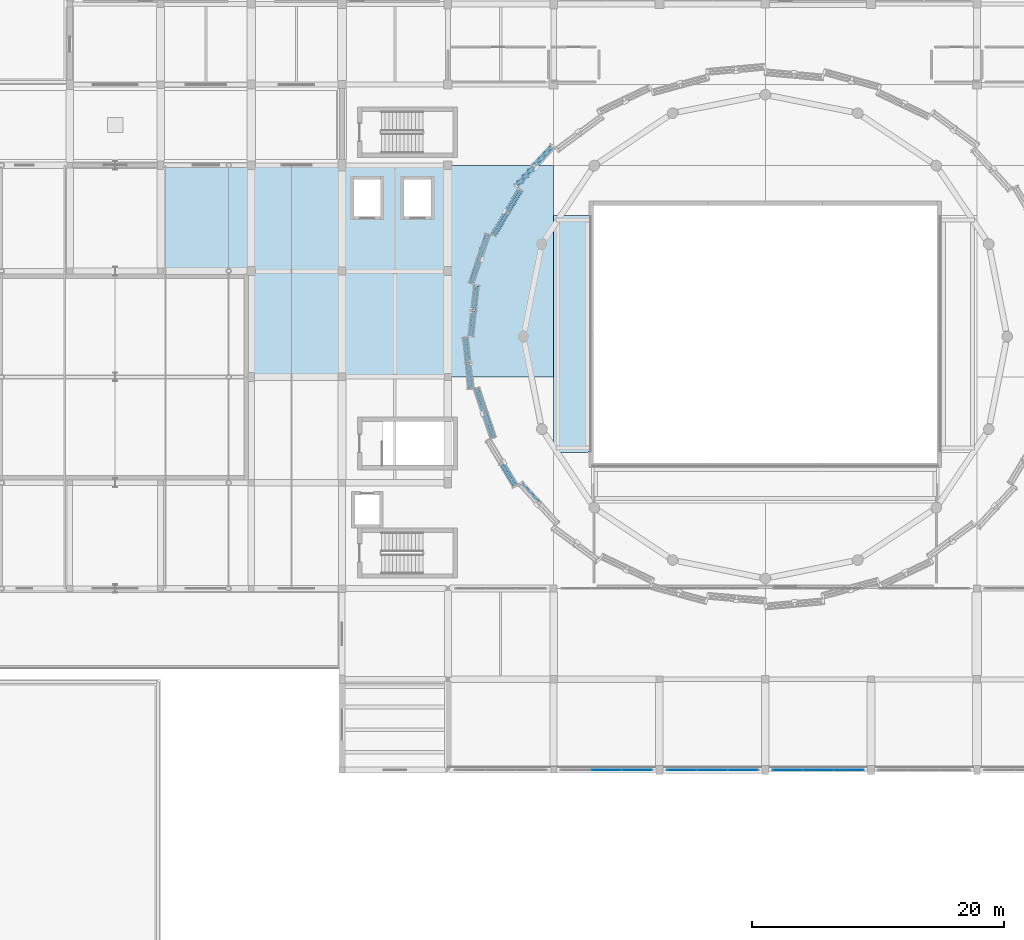
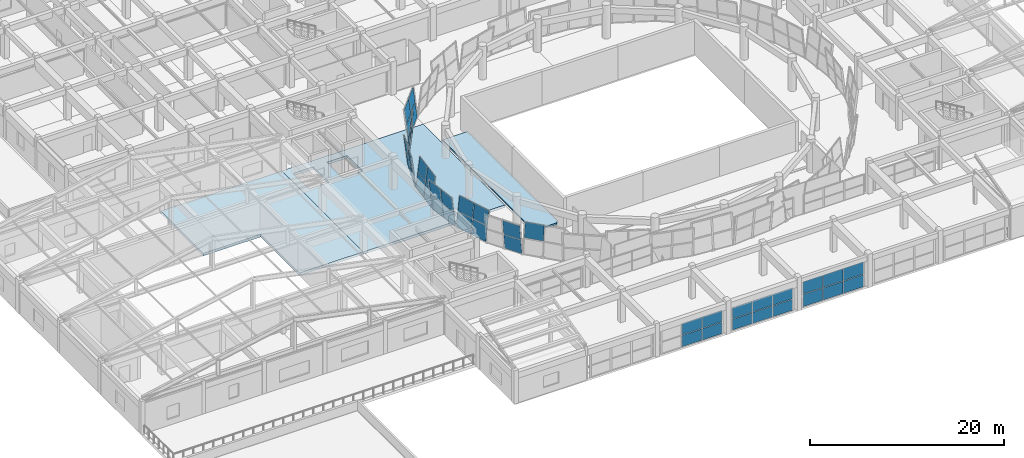
# One storey, part 48 of 74: 43 plates, 3 slabs, 11 elements without a shape of their own.
"""IFC4 building model written with IfcOpenShell, lengths in metres."""

from ifc_helpers import new_model, si_unit, direction, frame, origin, origin_2d, place, context, subcontext, project, spatial, polyline, rectangle, outline, extrude, material, layer, layer_set, type_object, element, aggregate, save


model = new_model("IFC4")

# Units and contexts
model_context = context("Model", 3, precision=1e-05, world=origin(), true_north=direction((0.0, 1.0)))
body_context = subcontext(model_context, "Body", "Model", "MODEL_VIEW")
ifc_project = project(units=[si_unit("LENGTHUNIT", "METRE"), si_unit("AREAUNIT", "SQUARE_METRE"), si_unit("VOLUMEUNIT", "CUBIC_METRE"), si_unit("PLANEANGLEUNIT", "RADIAN"), si_unit("MASSUNIT", "GRAM", prefix="KILO")], contexts=[model_context])

# Site, building, storey
site_placement = place(None, origin())
site = spatial("IfcSite", under=ifc_project, at=site_placement, CompositionType="ELEMENT")
building_placement = place(site_placement, origin())
building = spatial("IfcBuilding", under=site, at=building_placement, Name="Korsvaeld Concert Hall", CompositionType="ELEMENT")
storey_placement = place(building_placement, frame((0.0, 0.0, 9.0)))
storey = spatial("IfcBuildingStorey", under=building, at=storey_placement, Name="L02", CompositionType="ELEMENT", Elevation=9.0)

# Curtain wall, plates
ifc_material_1 = material(Name="Anodised bronze and ceramic-fritted safety glass", Category="glass")
curtain_wall_type_1 = type_object("IfcCurtainWallType", Name="CW-TYPE-15", PredefinedType="USERDEFINED", material=ifc_material_1)
curtain_wall_1_placement = place(storey_placement, origin())
curtain_wall_1 = element("IfcCurtainWall", 1, at=curtain_wall_1_placement, inside=storey, type_object=curtain_wall_type_1, Name="Wintergarden foyer curtain wall L02-15", ObjectType="CURTAIN WALL", PredefinedType="USERDEFINED")
ifc_material_2 = material(Name="Clear acoustic triple safety glazing", Category="glass")
ifc_layer_1 = layer(ifc_material_2, 0.0439453125)
ifc_layer_set_1 = layer_set([ifc_layer_1], Name="Clear acoustic triple safety glazing")
plate_type_1 = type_object("IfcPlateType", Name="CWP-CLEAR-44", PredefinedType="CURTAIN_PANEL", material=ifc_layer_set_1)
plate_1_placement = place(storey_placement, frame((90.618408203125, 28.800048828125, 0.06005859375), z_axis=(0.0, 0.0, 1.0), x_axis=(-1.0, 0.0, 0.0)))
plate_1 = element("IfcPlate", 2, at=plate_1_placement, type_object=plate_type_1, Name="CW-15 panel 1.1", PredefinedType="CURTAIN_PANEL", context=body_context, shape_type="SweptSolid", body=[
    extrude(rectangle(XDim=2.34326171875, YDim=0.0439453125, at=origin_2d()), origin(), (0.0, 0.0, 1.0), 1.530029296875),
])
plate_2_placement = place(storey_placement, frame((90.618408203125, 28.800048828125, 1.64990234375), z_axis=(0.0, 0.0, 1.0), x_axis=(-1.0, 0.0, 0.0)))
plate_2 = element("IfcPlate", 3, at=plate_2_placement, type_object=plate_type_1, Name="CW-15 panel 1.2", PredefinedType="CURTAIN_PANEL", context=body_context, shape_type="SweptSolid", body=[
    extrude(rectangle(XDim=2.34326171875, YDim=0.0439453125, at=origin_2d()), origin(), (0.0, 0.0, 1.0), 1.530029296875),
])
plate_3_placement = place(storey_placement, frame((88.199951171875, 28.800048828125, 0.06005859375), z_axis=(0.0, 0.0, 1.0), x_axis=(-1.0, 0.0, 0.0)))
plate_3 = element("IfcPlate", 4, at=plate_3_placement, type_object=plate_type_1, Name="CW-15 panel 2.1", PredefinedType="CURTAIN_PANEL", context=body_context, shape_type="SweptSolid", body=[
    extrude(rectangle(XDim=2.373291015625, YDim=0.0439453125, at=origin_2d()), origin(), (0.0, 0.0, 1.0), 1.530029296875),
])
plate_4_placement = place(storey_placement, frame((88.199951171875, 28.800048828125, 1.64990234375), z_axis=(0.0, 0.0, 1.0), x_axis=(-1.0, 0.0, 0.0)))
plate_4 = element("IfcPlate", 5, at=plate_4_placement, type_object=plate_type_1, Name="CW-15 panel 2.2", PredefinedType="CURTAIN_PANEL", context=body_context, shape_type="SweptSolid", body=[
    extrude(rectangle(XDim=2.373291015625, YDim=0.0439453125, at=origin_2d()), origin(), (0.0, 0.0, 1.0), 1.530029296875),
])
plate_5_placement = place(storey_placement, frame((85.78173828125, 28.800048828125, 0.06005859375), z_axis=(0.0, 0.0, 1.0), x_axis=(-1.0, 0.0, 0.0)))
plate_5 = element("IfcPlate", 6, at=plate_5_placement, type_object=plate_type_1, Name="CW-15 panel 3.1", PredefinedType="CURTAIN_PANEL", context=body_context, shape_type="SweptSolid", body=[
    extrude(rectangle(XDim=2.34326171875, YDim=0.0439453125, at=origin_2d()), origin(), (0.0, 0.0, 1.0), 1.530029296875),
])
plate_6_placement = place(storey_placement, frame((85.78173828125, 28.800048828125, 1.64990234375), z_axis=(0.0, 0.0, 1.0), x_axis=(-1.0, 0.0, 0.0)))
plate_6 = element("IfcPlate", 7, at=plate_6_placement, type_object=plate_type_1, Name="CW-15 panel 3.2", PredefinedType="CURTAIN_PANEL", context=body_context, shape_type="SweptSolid", body=[
    extrude(rectangle(XDim=2.34326171875, YDim=0.0439453125, at=origin_2d()), origin(), (0.0, 0.0, 1.0), 1.530029296875),
])
aggregate(curtain_wall_1, [plate_1, plate_2, plate_3, plate_4, plate_5, plate_6])

curtain_wall_type_2 = type_object("IfcCurtainWallType", Name="CW-TYPE-08", PredefinedType="USERDEFINED", material=ifc_material_1)
curtain_wall_2_placement = place(storey_placement, origin())
curtain_wall_2 = element("IfcCurtainWall", 8, at=curtain_wall_2_placement, inside=storey, type_object=curtain_wall_type_2, Name="Wintergarden foyer curtain wall L02-16", ObjectType="CURTAIN WALL", PredefinedType="USERDEFINED")
plate_7_placement = place(storey_placement, frame((82.21826171875, 28.800048828125, 0.06005859375), z_axis=(0.0, 0.0, 1.0), x_axis=(-1.0, 0.0, 0.0)))
plate_7 = element("IfcPlate", 9, at=plate_7_placement, type_object=plate_type_1, Name="CW-08 panel 1.1", PredefinedType="CURTAIN_PANEL", context=body_context, shape_type="SweptSolid", body=[
    extrude(rectangle(XDim=2.34326171875, YDim=0.0439453125, at=origin_2d()), origin(), (0.0, 0.0, 1.0), 1.3798828125),
])
plate_8_placement = place(storey_placement, frame((82.21826171875, 28.800048828125, 1.5), z_axis=(0.0, 0.0, 1.0), x_axis=(-1.0, 0.0, 0.0)))
plate_8 = element("IfcPlate", 10, at=plate_8_placement, type_object=plate_type_1, Name="CW-08 panel 1.2", PredefinedType="CURTAIN_PANEL", context=body_context, shape_type="SweptSolid", body=[
    extrude(rectangle(XDim=2.34326171875, YDim=0.0439453125, at=origin_2d()), origin(), (0.0, 0.0, 1.0), 1.3798828125),
])
plate_9_placement = place(storey_placement, frame((79.800048828125, 28.800048828125, 0.06005859375), z_axis=(0.0, 0.0, 1.0), x_axis=(-1.0, 0.0, 0.0)))
plate_9 = element("IfcPlate", 11, at=plate_9_placement, type_object=plate_type_1, Name="CW-08 panel 2.1", PredefinedType="CURTAIN_PANEL", context=body_context, shape_type="SweptSolid", body=[
    extrude(rectangle(XDim=2.373291015625, YDim=0.0439453125, at=origin_2d()), origin(), (0.0, 0.0, 1.0), 1.3798828125),
])
plate_10_placement = place(storey_placement, frame((79.800048828125, 28.800048828125, 1.5), z_axis=(0.0, 0.0, 1.0), x_axis=(-1.0, 0.0, 0.0)))
plate_10 = element("IfcPlate", 12, at=plate_10_placement, type_object=plate_type_1, Name="CW-08 panel 2.2", PredefinedType="CURTAIN_PANEL", context=body_context, shape_type="SweptSolid", body=[
    extrude(rectangle(XDim=2.373291015625, YDim=0.0439453125, at=origin_2d()), origin(), (0.0, 0.0, 1.0), 1.3798828125),
])
plate_11_placement = place(storey_placement, frame((77.381591796875, 28.800048828125, 0.06005859375), z_axis=(0.0, 0.0, 1.0), x_axis=(-1.0, 0.0, 0.0)))
plate_11 = element("IfcPlate", 13, at=plate_11_placement, type_object=plate_type_1, Name="CW-08 panel 3.1", PredefinedType="CURTAIN_PANEL", context=body_context, shape_type="SweptSolid", body=[
    extrude(rectangle(XDim=2.34326171875, YDim=0.0439453125, at=origin_2d()), origin(), (0.0, 0.0, 1.0), 1.3798828125),
])
plate_12_placement = place(storey_placement, frame((77.381591796875, 28.800048828125, 1.5), z_axis=(0.0, 0.0, 1.0), x_axis=(-1.0, 0.0, 0.0)))
plate_12 = element("IfcPlate", 14, at=plate_12_placement, type_object=plate_type_1, Name="CW-08 panel 3.2", PredefinedType="CURTAIN_PANEL", context=body_context, shape_type="SweptSolid", body=[
    extrude(rectangle(XDim=2.34326171875, YDim=0.0439453125, at=origin_2d()), origin(), (0.0, 0.0, 1.0), 1.3798828125),
])
aggregate(curtain_wall_2, [plate_7, plate_8, plate_9, plate_10, plate_11, plate_12])

curtain_wall_type_3 = type_object("IfcCurtainWallType", Name="CW-TYPE-09", PredefinedType="USERDEFINED", material=ifc_material_1)
curtain_wall_3_placement = place(storey_placement, origin())
curtain_wall_3 = element("IfcCurtainWall", 15, at=curtain_wall_3_placement, inside=storey, type_object=curtain_wall_type_3, Name="Wintergarden foyer curtain wall L02-17", ObjectType="CURTAIN WALL", PredefinedType="USERDEFINED")
plate_13_placement = place(storey_placement, frame((73.818359375, 28.800048828125, 0.06005859375), z_axis=(0.0, 0.0, 1.0), x_axis=(-1.0, 0.0, 0.0)))
plate_13 = element("IfcPlate", 16, at=plate_13_placement, type_object=plate_type_1, Name="CW-09 panel 1.1", PredefinedType="CURTAIN_PANEL", context=body_context, shape_type="SweptSolid", body=[
    extrude(rectangle(XDim=2.34326171875, YDim=0.0439453125, at=origin_2d()), origin(), (0.0, 0.0, 1.0), 1.429931640625),
])
plate_14_placement = place(storey_placement, frame((73.818359375, 28.800048828125, 1.5498046875), z_axis=(0.0, 0.0, 1.0), x_axis=(-1.0, 0.0, 0.0)))
plate_14 = element("IfcPlate", 17, at=plate_14_placement, type_object=plate_type_1, Name="CW-09 panel 1.2", PredefinedType="CURTAIN_PANEL", context=body_context, shape_type="SweptSolid", body=[
    extrude(rectangle(XDim=2.34326171875, YDim=0.0439453125, at=origin_2d()), origin(), (0.0, 0.0, 1.0), 1.429931640625),
])
plate_15_placement = place(storey_placement, frame((71.39990234375, 28.800048828125, 0.06005859375), z_axis=(0.0, 0.0, 1.0), x_axis=(-1.0, 0.0, 0.0)))
plate_15 = element("IfcPlate", 18, at=plate_15_placement, type_object=plate_type_1, Name="CW-09 panel 2.1", PredefinedType="CURTAIN_PANEL", context=body_context, shape_type="SweptSolid", body=[
    extrude(rectangle(XDim=2.373291015625, YDim=0.0439453125, at=origin_2d()), origin(), (0.0, 0.0, 1.0), 1.429931640625),
])
plate_16_placement = place(storey_placement, frame((71.39990234375, 28.800048828125, 1.5498046875), z_axis=(0.0, 0.0, 1.0), x_axis=(-1.0, 0.0, 0.0)))
plate_16 = element("IfcPlate", 19, at=plate_16_placement, type_object=plate_type_1, Name="CW-09 panel 2.2", PredefinedType="CURTAIN_PANEL", context=body_context, shape_type="SweptSolid", body=[
    extrude(rectangle(XDim=2.373291015625, YDim=0.0439453125, at=origin_2d()), origin(), (0.0, 0.0, 1.0), 1.429931640625),
])
aggregate(curtain_wall_3, [plate_13, plate_14, plate_15, plate_16])

curtain_wall_type_4 = type_object("IfcCurtainWallType", Name="CW-TYPE-05", PredefinedType="USERDEFINED", material=ifc_material_1)
curtain_wall_4_placement = place(storey_placement, origin())
curtain_wall_4 = element("IfcCurtainWall", 20, at=curtain_wall_4_placement, inside=storey, type_object=curtain_wall_type_4, Name="Crystal curtain-wall facet L02 F13", ObjectType="CURTAIN WALL", PredefinedType="USERDEFINED")
ifc_material_3 = material(Name="Translucent ceramic-fritted crystal safety glass", Category="glass")
ifc_layer_2 = layer(ifc_material_3, 0.035888671875)
ifc_layer_set_2 = layer_set([ifc_layer_2], Name="Translucent ceramic-fritted crystal safety glass")
plate_type_2 = type_object("IfcPlateType", Name="CWP-CRYSTAL-36", PredefinedType="CURTAIN_PANEL", material=ifc_layer_set_2)
plate_17_placement = place(storey_placement, frame((67.256103515625, 78.139404296875, 0.06005859375), z_axis=(-0.733559567217, 0.670244640635, -0.112527699015), x_axis=(-0.674528442771, -0.738248860392, -4.883933e-06)))
plate_17 = element("IfcPlate", 21, at=plate_17_placement, type_object=plate_type_2, Name="CW-CRYS-L02-F13 ceramic-fritted crystal panel 1.1", PredefinedType="CURTAIN_PANEL", context=body_context, shape_type="SweptSolid", body=[
    extrude(outline(polyline([(0.0, 0.0), (2.0631705966250298, 0.0), (2.0853329124553786, 1.8616880475932007), (0.021997636034750658, 1.8616677651911033), (0.0, 0.0)])), frame((0.0, 0.0, 0.01806640625)), (0.0, 0.0, -1.0), 0.035888671875),
])
plate_18_placement = place(storey_placement, frame((67.0810546875, 78.2685546875, 1.969970703125), z_axis=(-0.733586029487, 0.670210028542, -0.112561338758), x_axis=(-0.674496604142, -0.738277949692, 0.0)))
plate_18 = element("IfcPlate", 22, at=plate_18_placement, type_object=plate_type_2, Name="CW-CRYS-L02-F13 ceramic-fritted crystal panel 1.2", PredefinedType="CURTAIN_PANEL", context=body_context, shape_type="SweptSolid", body=[
    extrude(outline(polyline([(0.0, 0.0), (2.0631705985682665, 0.0), (2.0853329104912675, 1.861930638647585), (0.02216231192300118, 1.861930638647585), (0.0, 0.0)])), frame((0.0, 0.0, 0.01806640625)), (0.0, 0.0, -1.0), 0.035888671875),
])
plate_19_placement = place(storey_placement, frame((65.81396484375, 76.560791015625, 0.06005859375), z_axis=(-0.733584802726, 0.670208907764, -0.112576006159), x_axis=(-0.674496604142, -0.738277949692, 0.0)))
plate_19 = element("IfcPlate", 23, at=plate_19_placement, type_object=plate_type_2, Name="CW-CRYS-L02-F13 ceramic-fritted crystal panel 2.1", PredefinedType="CURTAIN_PANEL", context=body_context, shape_type="SweptSolid", body=[
    extrude(outline(polyline([(0.0, 0.0), (2.0631705985682665, -1.3877787807814457e-17), (2.0853329104912675, 1.8616880497932604), (0.02216231192300119, 1.8616880497932604), (0.0, 0.0)])), frame((0.0, 0.0, 0.01806640625)), (0.0, 0.0, -1.0), 0.035888671875),
])
plate_20_placement = place(storey_placement, frame((65.638916015625, 76.68994140625, 1.969970703125), z_axis=(-0.733586029487, 0.670210028542, -0.112561338758), x_axis=(-0.674496604142, -0.738277949692, 0.0)))
plate_20 = element("IfcPlate", 24, at=plate_20_placement, type_object=plate_type_2, Name="CW-CRYS-L02-F13 ceramic-fritted crystal panel 2.2", PredefinedType="CURTAIN_PANEL", context=body_context, shape_type="SweptSolid", body=[
    extrude(outline(polyline([(0.0, 0.0), (2.0631705985682665, 0.0), (2.0853329104912675, 1.861930638647585), (0.02216231192300118, 1.861930638647585), (0.0, 0.0)])), frame((0.0, 0.0, 0.01806640625)), (0.0, 0.0, -1.0), 0.035888671875),
])
aggregate(curtain_wall_4, [plate_17, plate_18, plate_19, plate_20])

curtain_wall_type_5 = type_object("IfcCurtainWallType", Name="CW-TYPE-06", PredefinedType="USERDEFINED", material=ifc_material_1)
curtain_wall_5_placement = place(storey_placement, origin())
curtain_wall_5 = element("IfcCurtainWall", 25, at=curtain_wall_5_placement, inside=storey, type_object=curtain_wall_type_5, Name="Crystal curtain-wall facet L02 F14", ObjectType="CURTAIN WALL", PredefinedType="USERDEFINED")
plate_21_placement = place(storey_placement, frame((64.34521484375, 74.91064453125, 0.06005859375), z_axis=(-0.853873261787, 0.508120642844, 0.112755776441), x_axis=(-0.511381861684, -0.859353589357, 0.0)))
plate_21 = element("IfcPlate", 26, at=plate_21_placement, type_object=plate_type_2, Name="CW-CRYS-L02-F14 ceramic-fritted crystal panel 1.1", PredefinedType="CURTAIN_PANEL", context=body_context, shape_type="SweptSolid", body=[
    extrude(outline(polyline([(0.0, 0.0), (2.0199366887482033, -1.3877787807814457e-17), (2.001270466587501, 1.8617262415621827), (-0.018666222160702132, 1.8617262415621827), (0.0, 0.0)])), frame((0.0, 0.0, 0.01806640625)), (0.0, 0.0, -1.0), 0.035888671875),
])
plate_22_placement = place(storey_placement, frame((64.541259765625, 74.81640625, 1.969970703125), z_axis=(-0.853914504774, 0.508049407558, 0.112764435958), x_axis=(-0.511311580092, -0.859395408399, -9.281327e-06)))
plate_22 = element("IfcPlate", 27, at=plate_22_placement, type_object=plate_type_2, Name="CW-CRYS-L02-F14 ceramic-fritted crystal panel 1.2", PredefinedType="CURTAIN_PANEL", context=body_context, shape_type="SweptSolid", body=[
    extrude(outline(polyline([(0.0, 0.0), (2.019936681906196, 1.3877787807814457e-17), (2.001145624278534, 1.8619924832573516), (-0.018876039031056918, 1.8619547463895518), (0.0, 0.0)])), frame((0.0, 0.0, 0.01806640625)), (0.0, 0.0, -1.0), 0.035888671875),
])
plate_23_placement = place(storey_placement, frame((63.27392578125, 73.1103515625, 0.06005859375), z_axis=(-0.853873261787, 0.508120642844, 0.112755776441), x_axis=(-0.511381861684, -0.859353589357, 0.0)))
plate_23 = element("IfcPlate", 28, at=plate_23_placement, type_object=plate_type_2, Name="CW-CRYS-L02-F14 ceramic-fritted crystal panel 2.1", PredefinedType="CURTAIN_PANEL", context=body_context, shape_type="SweptSolid", body=[
    extrude(outline(polyline([(0.0, 0.0), (2.0199366887482033, -1.3877787807814457e-17), (2.001270466587501, 1.8617262415621827), (-0.018666222160702132, 1.8617262415621827), (0.0, 0.0)])), frame((0.0, 0.0, 0.01806640625)), (0.0, 0.0, -1.0), 0.035888671875),
])
plate_24_placement = place(storey_placement, frame((63.469970703125, 73.01611328125, 1.969970703125), z_axis=(-0.853895606904, 0.508073891, 0.112797224229), x_axis=(-0.511337798574, -0.859379808767, -5.820704e-06)))
plate_24 = element("IfcPlate", 29, at=plate_24_placement, type_object=plate_type_2, Name="CW-CRYS-L02-F14 ceramic-fritted crystal panel 2.2", PredefinedType="CURTAIN_PANEL", context=body_context, shape_type="SweptSolid", body=[
    extrude(outline(polyline([(0.0, 0.0), (2.019936686058763, 0.0), (2.001145620164597, 1.861992487678737), (-0.01866622756443597, 1.8619688224688642), (0.0, 0.0)])), frame((0.0, 0.0, 0.01806640625)), (0.0, 0.0, -1.0), 0.035888671875),
])
aggregate(curtain_wall_5, [plate_21, plate_22, plate_23, plate_24])

curtain_wall_type_6 = type_object("IfcCurtainWallType", Name="CW-TYPE-07", PredefinedType="USERDEFINED", material=ifc_material_1)
curtain_wall_6_placement = place(storey_placement, origin())
curtain_wall_6 = element("IfcCurtainWall", 30, at=curtain_wall_6_placement, inside=storey, type_object=curtain_wall_type_6, Name="Crystal curtain-wall facet L02 F15", ObjectType="CURTAIN WALL", PredefinedType="USERDEFINED")
plate_25_placement = place(storey_placement, frame((62.165771484375, 71.24365234375, 0.06005859375), z_axis=(-0.941364517816, 0.317899823544, -0.11301569266), x_axis=(-0.319949676143, -0.947434538497, 0.0)))
plate_25 = element("IfcPlate", 31, at=plate_25_placement, type_object=plate_type_2, Name="CW-CRYS-L02-F15 ceramic-fritted crystal panel 1.1", PredefinedType="CURTAIN_PANEL", context=body_context, shape_type="SweptSolid", body=[
    extrude(outline(polyline([(0.0, 0.0), (1.9862437572585203, -1.3877787807814457e-17), (1.9988048998337165, 1.8617815720611695), (0.012561142575196048, 1.8617815720611695), (0.0, 0.0)])), frame((0.0, 0.0, 0.01806640625)), (0.0, 0.0, -1.0), 0.035888671875),
])
plate_26_placement = place(storey_placement, frame((61.955810546875, 71.30078125, 1.969970703125), z_axis=(-0.941366104364, 0.317900359323, -0.113000969451), x_axis=(-0.319949676143, -0.947434538497, 0.0)))
plate_26 = element("IfcPlate", 32, at=plate_26_placement, type_object=plate_type_2, Name="CW-CRYS-L02-F15 ceramic-fritted crystal panel 1.2", PredefinedType="CURTAIN_PANEL", context=body_context, shape_type="SweptSolid", body=[
    extrude(outline(polyline([(0.0, 0.0), (1.9862437572585203, 0.0), (1.9988048998337165, 1.8620241487311948), (0.012561142575196048, 1.8620241487311948), (0.0, 0.0)])), frame((0.0, 0.0, 0.01806640625)), (0.0, 0.0, -1.0), 0.035888671875),
])
plate_27_placement = place(storey_placement, frame((61.50634765625, 69.290771484375, 0.06005859375), z_axis=(-0.941376989416, 0.317862797179, -0.113015954486), x_axis=(-0.319912420616, -0.947447118912, 0.0)))
plate_27 = element("IfcPlate", 33, at=plate_27_placement, type_object=plate_type_2, Name="CW-CRYS-L02-F15 ceramic-fritted crystal panel 2.1", PredefinedType="CURTAIN_PANEL", context=body_context, shape_type="SweptSolid", body=[
    extrude(outline(polyline([(0.0, 0.0), (1.9864750660546802, -1.3877787807814457e-17), (1.999027934799808, 1.8617816278649926), (0.01255286874512773, 1.8617816278649928), (0.0, 0.0)])), frame((0.0, 0.0, 0.01806640625)), (0.0, 0.0, -1.0), 0.035888671875),
])
plate_28_placement = place(storey_placement, frame((61.29638671875, 69.347900390625, 1.969970703125), z_axis=(-0.941366104364, 0.317900359323, -0.113000969451), x_axis=(-0.319949676143, -0.947434538497, 0.0)))
plate_28 = element("IfcPlate", 34, at=plate_28_placement, type_object=plate_type_2, Name="CW-CRYS-L02-F15 ceramic-fritted crystal panel 2.2", PredefinedType="CURTAIN_PANEL", context=body_context, shape_type="SweptSolid", body=[
    extrude(outline(polyline([(0.0, 0.0), (1.9862437572585203, 0.0), (1.9988048998337165, 1.8620241487311948), (0.012561142575196048, 1.8620241487311948), (0.0, 0.0)])), frame((0.0, 0.0, 0.01806640625)), (0.0, 0.0, -1.0), 0.035888671875),
])
aggregate(curtain_wall_6, [plate_25, plate_26, plate_27, plate_28])

curtain_wall_7_placement = place(storey_placement, origin())
curtain_wall_7 = element("IfcCurtainWall", 35, at=curtain_wall_7_placement, inside=storey, type_object=curtain_wall_type_2, Name="Crystal curtain-wall facet L02 F16", ObjectType="CURTAIN WALL", PredefinedType="USERDEFINED")
plate_29_placement = place(storey_placement, frame((60.85205078125, 67.2607421875, 0.06005859375), z_axis=(-0.987661041503, 0.108233449131, 0.113186516804), x_axis=(-0.108933482058, -0.994049041289, 0.0)))
plate_29 = element("IfcPlate", 36, at=plate_29_placement, type_object=plate_type_2, Name="CW-CRYS-L02-F16 ceramic-fritted crystal panel 1.1", PredefinedType="CURTAIN_PANEL", context=body_context, shape_type="SweptSolid", body=[
    extrude(outline(polyline([(0.0, 0.0), (1.967764774426495, 3.469446951953614e-18), (1.9633372677291723, 1.8618180088716296), (-0.004427506697322853, 1.8618180088716296), (0.0, 0.0)])), frame((0.0, 0.0, 0.01806640625)), (0.0, 0.0, -1.0), 0.035888671875),
])
plate_30_placement = place(storey_placement, frame((61.06884765625, 67.241455078125, 1.969970703125), z_axis=(-0.987662711113, 0.108233632097, 0.113171771918), x_axis=(-0.108933482058, -0.994049041289, 0.0)))
plate_30 = element("IfcPlate", 37, at=plate_30_placement, type_object=plate_type_2, Name="CW-CRYS-L02-F16 ceramic-fritted crystal panel 1.2", PredefinedType="CURTAIN_PANEL", context=body_context, shape_type="SweptSolid", body=[
    extrude(outline(polyline([(0.0, 0.0), (1.967764774426495, 0.0), (1.9633372677291723, 1.8620605807949135), (-0.004427506697322853, 1.8620605807949135), (0.0, 0.0)])), frame((0.0, 0.0, 0.01806640625)), (0.0, 0.0, -1.0), 0.035888671875),
])
plate_31_placement = place(storey_placement, frame((60.62939453125, 65.22998046875, 0.06005859375), z_axis=(-0.987661041503, 0.108233449131, 0.113186516804), x_axis=(-0.108933482058, -0.994049041289, 0.0)))
plate_31 = element("IfcPlate", 38, at=plate_31_placement, type_object=plate_type_2, Name="CW-CRYS-L02-F16 ceramic-fritted crystal panel 2.1", PredefinedType="CURTAIN_PANEL", context=body_context, shape_type="SweptSolid", body=[
    extrude(outline(polyline([(0.0, 0.0), (1.967764774426495, 3.469446951953614e-18), (1.9633372677291723, 1.8618180088716296), (-0.004427506697322853, 1.8618180088716296), (0.0, 0.0)])), frame((0.0, 0.0, 0.01806640625)), (0.0, 0.0, -1.0), 0.035888671875),
])
plate_32_placement = place(storey_placement, frame((60.84619140625, 65.2109375, 1.969970703125), z_axis=(-0.987662642461, 0.108226870525, 0.113178837175), x_axis=(-0.108926851037, -0.99404976793, -7.59866e-07)))
plate_32 = element("IfcPlate", 39, at=plate_32_placement, type_object=plate_type_2, Name="CW-CRYS-L02-F16 ceramic-fritted crystal panel 2.2", PredefinedType="CURTAIN_PANEL", context=body_context, shape_type="SweptSolid", body=[
    extrude(outline(polyline([(0.0, 0.0), (1.9677647743821456, 0.0), (1.9635799555276479, 1.8620635907490142), (-0.004427506786121315, 1.8620605807478352), (0.0, 0.0)])), frame((0.0, 0.0, 0.01806640625)), (0.0, 0.0, -1.0), 0.035888671875),
])
aggregate(curtain_wall_7, [plate_29, plate_30, plate_31, plate_32])

curtain_wall_type_7 = type_object("IfcCurtainWallType", Name="CW-TYPE-01", PredefinedType="USERDEFINED", material=ifc_material_1)
curtain_wall_8_placement = place(storey_placement, origin())
curtain_wall_8 = element("IfcCurtainWall", 40, at=curtain_wall_8_placement, inside=storey, type_object=curtain_wall_type_7, Name="Crystal curtain-wall facet L02 F17", ObjectType="CURTAIN WALL", PredefinedType="USERDEFINED")
plate_33_placement = place(storey_placement, frame((60.4013671875, 63.124755859375, 0.06005859375), z_axis=(-0.98764771844, -0.108355260173, -0.113186226426), x_axis=(0.10905607732, -0.99403559896, 0.0)))
plate_33 = element("IfcPlate", 41, at=plate_33_placement, type_object=plate_type_2, Name="CW-CRYS-L02-F17 ceramic-fritted crystal panel 1.1", PredefinedType="CURTAIN_PANEL", context=body_context, shape_type="SweptSolid", body=[
    extrude(outline(polyline([(0.0, 0.0), (1.9677913844802313, 0.0), (1.9633378881486825, 1.8618179468854357), (-0.004453496331548845, 1.8618179468854357), (0.0, 0.0)])), frame((0.0, 0.0, 0.01806640625)), (0.0, 0.0, -1.0), 0.035888671875),
])
plate_34_placement = place(storey_placement, frame((60.1845703125, 63.105712890625, 1.969970703125), z_axis=(-0.987649320106, -0.108348674243, -0.113178554879), x_axis=(0.109049439015, -0.994036327229, -7.60709e-07)))
plate_34 = element("IfcPlate", 42, at=plate_34_placement, type_object=plate_type_2, Name="CW-CRYS-L02-F17 ceramic-fritted crystal panel 1.2", PredefinedType="CURTAIN_PANEL", context=body_context, shape_type="SweptSolid", body=[
    extrude(outline(polyline([(0.0, 0.0), (1.9677913844357826, -3.469446951953614e-18), (1.9635805726654383, 1.8620635321507695), (-0.004453496420546673, 1.8620605187696093), (0.0, 0.0)])), frame((0.0, 0.0, 0.01806640625)), (0.0, 0.0, -1.0), 0.035888671875),
])
plate_35_placement = place(storey_placement, frame((60.6240234375, 61.09423828125, 0.06005859375), z_axis=(-0.987649180643, -0.108341898139, -0.113186258362), x_axis=(0.109042629262, -0.99403707426, 0.0)))
plate_35 = element("IfcPlate", 43, at=plate_35_placement, type_object=plate_type_2, Name="CW-CRYS-L02-F17 ceramic-fritted crystal panel 2.1", PredefinedType="CURTAIN_PANEL", context=body_context, shape_type="SweptSolid", body=[
    extrude(outline(polyline([(0.0, 0.0), (1.9680340691327352, 0.0), (1.9635834237417775, 1.8618179537027453), (-0.004450645390957637, 1.8618179537027453), (0.0, 0.0)])), frame((0.0, 0.0, 0.01806640625)), (0.0, 0.0, -1.0), 0.035888671875),
])
plate_36_placement = place(storey_placement, frame((60.4072265625, 61.074951171875, 1.969970703125), z_axis=(-0.98764938802, -0.108355443344, -0.113171481577), x_axis=(0.10905607732, -0.99403559896, 0.0)))
plate_36 = element("IfcPlate", 44, at=plate_36_placement, type_object=plate_type_2, Name="CW-CRYS-L02-F17 ceramic-fritted crystal panel 2.2", PredefinedType="CURTAIN_PANEL", context=body_context, shape_type="SweptSolid", body=[
    extrude(outline(polyline([(0.0, 0.0), (1.9677913844802313, -3.469446951953614e-18), (1.9633378881486825, 1.8620605188167947), (-0.004453496331548846, 1.8620605188167947), (0.0, 0.0)])), frame((0.0, 0.0, 0.01806640625)), (0.0, 0.0, -1.0), 0.035888671875),
])
aggregate(curtain_wall_8, [plate_33, plate_34, plate_35, plate_36])

curtain_wall_type_8 = type_object("IfcCurtainWallType", Name="CW-TYPE-02", PredefinedType="USERDEFINED", material=ifc_material_1)
curtain_wall_9_placement = place(storey_placement, origin())
curtain_wall_9 = element("IfcCurtainWall", 45, at=curtain_wall_9_placement, inside=storey, type_object=curtain_wall_type_8, Name="Crystal curtain-wall facet L02 F18", ObjectType="CURTAIN WALL", PredefinedType="USERDEFINED")
plate_37_placement = place(storey_placement, frame((60.884033203125, 58.994873046875, 0.06005859375), z_axis=(-0.941364517816, -0.317899823544, 0.11301569266), x_axis=(0.319949676143, -0.947434538497, 0.0)))
plate_37 = element("IfcPlate", 46, at=plate_37_placement, type_object=plate_type_2, Name="CW-CRYS-L02-F18 ceramic-fritted crystal panel 1.1", PredefinedType="CURTAIN_PANEL", context=body_context, shape_type="SweptSolid", body=[
    extrude(outline(polyline([(0.0, 0.0), (1.9862437572585203, -1.3877787807814457e-17), (1.9988048998337165, 1.8617815720611695), (0.012561142575196048, 1.8617815720611695), (0.0, 0.0)])), frame((0.0, 0.0, 0.01806640625)), (0.0, 0.0, -1.0), 0.035888671875),
])
plate_38_placement = place(storey_placement, frame((61.093994140625, 59.052001953125, 1.969970703125), z_axis=(-0.941366104364, -0.317900359323, 0.113000969451), x_axis=(0.319949676143, -0.947434538497, 0.0)))
plate_38 = element("IfcPlate", 47, at=plate_38_placement, type_object=plate_type_2, Name="CW-CRYS-L02-F18 ceramic-fritted crystal panel 1.2", PredefinedType="CURTAIN_PANEL", context=body_context, shape_type="SweptSolid", body=[
    extrude(outline(polyline([(0.0, 0.0), (1.9862437572585203, 0.0), (1.9988048998337165, 1.8620241487311948), (0.012561142575196048, 1.8620241487311948), (0.0, 0.0)])), frame((0.0, 0.0, 0.01806640625)), (0.0, 0.0, -1.0), 0.035888671875),
])
plate_39_placement = place(storey_placement, frame((61.54345703125, 57.041748046875, 0.06005859375), z_axis=(-0.941364517816, -0.317899823544, 0.11301569266), x_axis=(0.319949676143, -0.947434538497, 0.0)))
plate_39 = element("IfcPlate", 48, at=plate_39_placement, type_object=plate_type_2, Name="CW-CRYS-L02-F18 ceramic-fritted crystal panel 2.1", PredefinedType="CURTAIN_PANEL", context=body_context, shape_type="SweptSolid", body=[
    extrude(outline(polyline([(0.0, 0.0), (1.9862437572585203, -1.3877787807814457e-17), (1.9988048998337165, 1.8617815720611695), (0.012561142575196048, 1.8617815720611695), (0.0, 0.0)])), frame((0.0, 0.0, 0.01806640625)), (0.0, 0.0, -1.0), 0.035888671875),
])
plate_40_placement = place(storey_placement, frame((61.75341796875, 57.09912109375, 1.969970703125), z_axis=(-0.941366104364, -0.317900359323, 0.113000969451), x_axis=(0.319949676143, -0.947434538497, 0.0)))
plate_40 = element("IfcPlate", 49, at=plate_40_placement, type_object=plate_type_2, Name="CW-CRYS-L02-F18 ceramic-fritted crystal panel 2.2", PredefinedType="CURTAIN_PANEL", context=body_context, shape_type="SweptSolid", body=[
    extrude(outline(polyline([(0.0, 0.0), (1.9862437572585203, 0.0), (1.9988048998337165, 1.8620241487311948), (0.012561142575196048, 1.8620241487311948), (0.0, 0.0)])), frame((0.0, 0.0, 0.01806640625)), (0.0, 0.0, -1.0), 0.035888671875),
])
aggregate(curtain_wall_9, [plate_37, plate_38, plate_39, plate_40])

curtain_wall_type_9 = type_object("IfcCurtainWallType", Name="CW-TYPE-03", PredefinedType="USERDEFINED", material=ifc_material_1)
curtain_wall_10_placement = place(storey_placement, origin())
curtain_wall_10 = element("IfcCurtainWall", 50, at=curtain_wall_10_placement, inside=storey, type_object=curtain_wall_type_9, Name="Crystal curtain-wall facet L02 F19", ObjectType="CURTAIN WALL", PredefinedType="USERDEFINED")
plate_41_placement = place(storey_placement, frame((63.2998046875, 53.21923828125, 0.06005859375), z_axis=(-0.853892161526, -0.508096158557, -0.112722979661), x_axis=(0.511355642616, -0.859369191182, -3.461232e-06)))
plate_41 = element("IfcPlate", 51, at=plate_41_placement, type_object=plate_type_2, Name="CW-CRYS-L02-F19 ceramic-fritted crystal panel 2.1", PredefinedType="CURTAIN_PANEL", context=body_context, shape_type="SweptSolid", body=[
    extrude(outline(polyline([(0.0, 0.0), (2.019936687795968, -1.3877787807814457e-17), (2.0012704675309365, 1.8617262405480326), (-0.018876027196472505, 1.8617121671868948), (0.0, 0.0)])), frame((0.0, 0.0, 0.01806640625)), (0.0, 0.0, -1.0), 0.035888671875),
])
plate_42_placement = place(storey_placement, frame((63.103759765625, 53.125, 1.969970703125), z_axis=(-0.85388274351, -0.508090554503, -0.112819540684), x_axis=(0.511355643194, -0.859369190838, -3.464158e-06)))
plate_42 = element("IfcPlate", 52, at=plate_42_placement, type_object=plate_type_2, Name="CW-CRYS-L02-F19 ceramic-fritted crystal panel 2.2", PredefinedType="CURTAIN_PANEL", context=body_context, shape_type="SweptSolid", body=[
    extrude(outline(polyline([(0.0, 0.0), (2.019936687795989, -1.3877787807814457e-17), (2.001145618443532, 1.861992489528423), (-0.019000876283814222, 1.8619784041117295), (0.0, 0.0)])), frame((0.0, 0.0, 0.01806640625)), (0.0, 0.0, -1.0), 0.035888671875),
])
aggregate(curtain_wall_10, [plate_41, plate_42])

# Curtain wall, plate
curtain_wall_type_10 = type_object("IfcCurtainWallType", Name="CW-TYPE-04", PredefinedType="USERDEFINED", material=ifc_material_1)
curtain_wall_11_placement = place(storey_placement, origin())
curtain_wall_11 = element("IfcCurtainWall", 53, at=curtain_wall_11_placement, inside=storey, type_object=curtain_wall_type_10, Name="Crystal curtain-wall facet L02 F20", ObjectType="CURTAIN WALL", PredefinedType="USERDEFINED")
plate_43_placement = place(storey_placement, frame((64.608642578125, 51.499755859375, 1.969970703125), z_axis=(-0.733586029487, -0.670210028542, 0.112561338758), x_axis=(0.674496604142, -0.738277949692, 0.0)))
plate_43 = element("IfcPlate", 54, at=plate_43_placement, type_object=plate_type_2, Name="CW-CRYS-L02-F20 ceramic-fritted crystal panel 1.2", PredefinedType="CURTAIN_PANEL", context=body_context, shape_type="SweptSolid", body=[
    extrude(outline(polyline([(0.0, 0.0), (2.0631705985682665, 0.0), (2.0853329104912675, 1.861930638647585), (0.02216231192300118, 1.861930638647585), (0.0, 0.0)])), frame((0.0, 0.0, 0.01806640625)), (0.0, 0.0, -1.0), 0.035888671875),
])
aggregate(curtain_wall_11, [plate_43])

# Slabs
ifc_material_4 = material(Name="Concrete C35/45", Category="concrete")
ifc_layer_3 = layer(ifc_material_4, 0.320068359375)
ifc_layer_set_3 = layer_set([ifc_layer_3], Name="Concrete C35/45")
slab_type_1 = type_object("IfcSlabType", Name="SLB-HALL-320", PredefinedType="FLOOR", material=ifc_layer_set_3)
slab_1_placement = place(storey_placement, frame((0.0, 0.0, -0.320068359375)))
element("IfcSlab", 55, at=slab_1_placement, inside=storey, type_object=slab_type_1, Name="Structural slab L02 V3_L02 2.2", PredefinedType="FLOOR", context=body_context, shape_type="SweptSolid", body=[
    extrude(outline(polyline([(36.0, 76.800048828125), (50.39990234375, 76.800048828125), (50.39990234375, 60.0), (42.800048828125, 60.0), (42.800048828125, 68.0), (36.0, 68.0), (36.0, 76.800048828125)])), origin(), (0.0, 0.0, 1.0), 0.320068359375),
])
slab_2_placement = place(storey_placement, frame((0.0, 0.0, -0.320068359375)))
element("IfcSlab", 56, at=slab_2_placement, inside=storey, type_object=slab_type_1, Name="Structural slab L02 V1_L02 1.2", PredefinedType="FLOOR", context=body_context, shape_type="SweptSolid", body=[
    extrude(outline(polyline([(50.39990234375, 60.0), (50.39990234375, 76.800048828125), (67.199951171875, 76.800048828125), (67.199951171875, 60.0), (50.39990234375, 60.0)]), holes=[polyline([(53.60009765625, 75.800048828125), (51.199951171875, 75.800048828125), (51.199951171875, 72.60009765625), (53.60009765625, 72.60009765625), (53.60009765625, 75.800048828125)]), polyline([(57.60009765625, 75.800048828125), (55.199951171875, 75.800048828125), (55.199951171875, 72.60009765625), (57.60009765625, 72.60009765625), (57.60009765625, 75.800048828125)])]), origin(), (0.0, 0.0, 1.0), 0.320068359375),
])
ifc_material_5 = material(Name="Precast concrete C40/50", Category="concrete")
ifc_layer_4 = layer(ifc_material_5, 0.199951171875)
ifc_layer_set_4 = layer_set([ifc_layer_4], Name="Precast concrete C40/50")
slab_type_2 = type_object("IfcSlabType", Name="SLB-TIER-200", PredefinedType="USERDEFINED", material=ifc_layer_set_4)
slab_3_placement = place(storey_placement, frame((0.0, 0.0, 0.25)))
element("IfcSlab", 57, at=slab_3_placement, inside=storey, type_object=slab_type_2, Name="Auditorium seating tier V1-CIRC2-W", ObjectType="SEATING TIER", PredefinedType="USERDEFINED", context=body_context, shape_type="SweptSolid", body=[
    extrude(outline(polyline([(67.199951171875, 54.300048828125), (67.5, 54.0), (69.89990234375, 54.0), (70.199951171875, 54.300048828125), (70.199951171875, 72.800048828125), (67.199951171875, 72.800048828125), (67.199951171875, 54.300048828125)])), origin(), (0.0, 0.0, 1.0), 0.199951171875),
])

save(model, "model.ifc")
